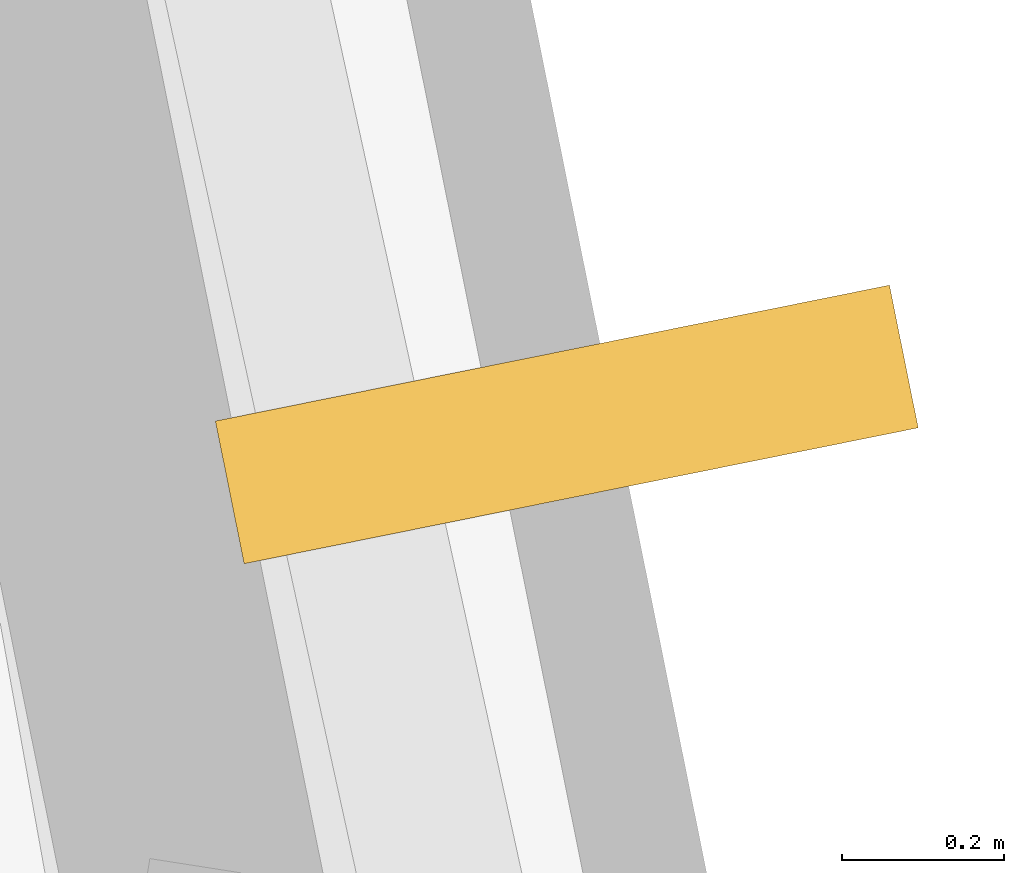
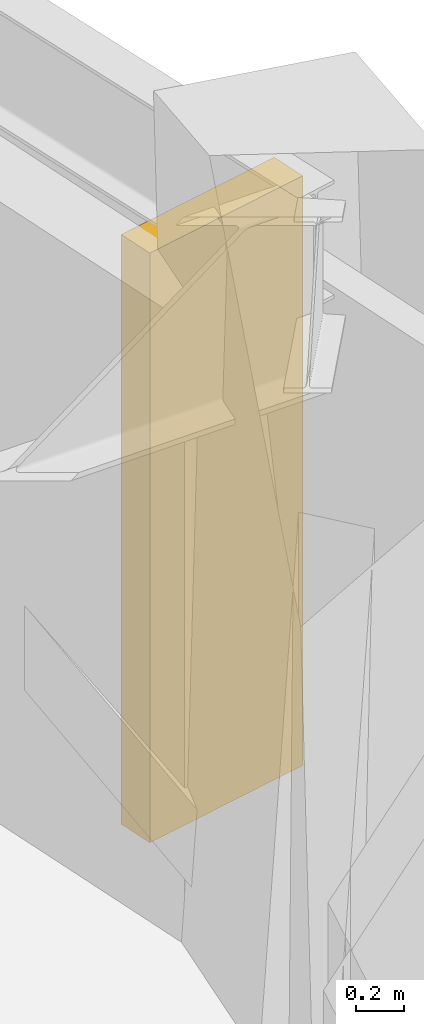
# One storey, part 16 of 16: 1 shading device.
"""IFC4 building model written with IfcOpenShell, lengths in metres."""

from ifc_helpers import new_model, si_unit, direction, frame, origin, origin_2d, place, context, subcontext, project, spatial, rectangle, extrude, material, type_object, element, save


model = new_model("IFC4")

# Units and contexts
model_context = context("Model", 3, precision=1e-05, world=origin(), true_north=direction((0.0, 1.0)))
body_context = subcontext(model_context, "Body", "Model", "MODEL_VIEW")
ifc_project = project(units=[si_unit("LENGTHUNIT", "METRE"), si_unit("AREAUNIT", "SQUARE_METRE"), si_unit("VOLUMEUNIT", "CUBIC_METRE"), si_unit("PLANEANGLEUNIT", "RADIAN"), si_unit("MASSUNIT", "GRAM", prefix="KILO")], contexts=[model_context])

# Site, building, storey
site_placement = place(None, origin())
site = spatial("IfcSite", under=ifc_project, at=site_placement, CompositionType="ELEMENT")
building_placement = place(site_placement, origin())
building = spatial("IfcBuilding", under=site, at=building_placement, Name="Gaonmaruhae Medical Tower", CompositionType="ELEMENT")
storey_placement = place(building_placement, frame((0.0, 0.0, 71.0)))
storey = spatial("IfcBuildingStorey", under=building, at=storey_placement, Name="L16", CompositionType="ELEMENT", Elevation=71.0)

# Shading device
ifc_material = material(Name="Pigmented coral precast concrete C45/55", Category="concrete")
shading_device_type = type_object("IfcShadingDeviceType", Name="SD-FIN1 Tower Vertical Coral Precast Shading Fin", PredefinedType="USERDEFINED", material=ifc_material)
shading_device_placement = place(storey_placement, frame((66.846923828125, 13.791015625, 0.08251953125), z_axis=(0.0, 0.0, 1.0), x_axis=(0.197657340379, -0.980271174622, 0.0)))
element("IfcShadingDevice", 1, at=shading_device_placement, inside=storey, type_object=shading_device_type, Name="L16 Vertical Coral Precast Shading Fin E01B", ObjectType="FIN", PredefinedType="USERDEFINED", context=body_context, shape_type="SweptSolid", body=[
    extrude(rectangle(XDim=0.179931640625, YDim=0.85009765625, at=origin_2d()), origin(), (0.0, 0.0, 1.0), 3.0),
])

save(model, "model.ifc")
